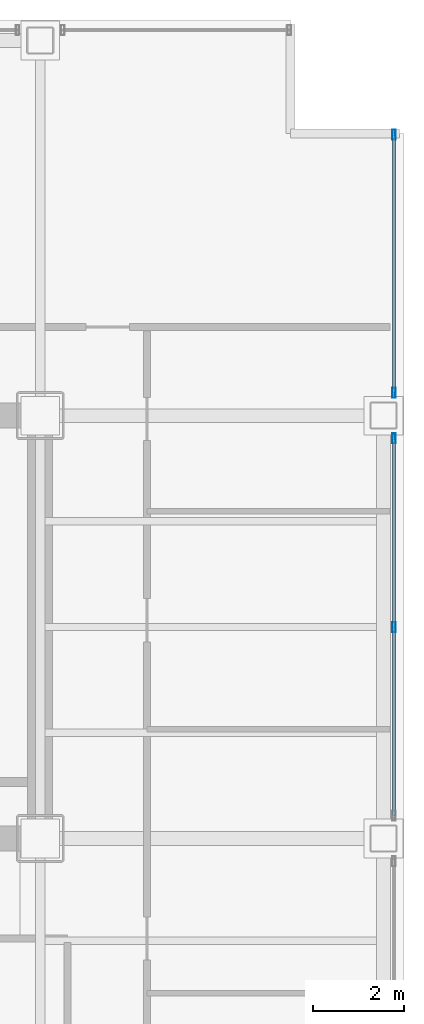
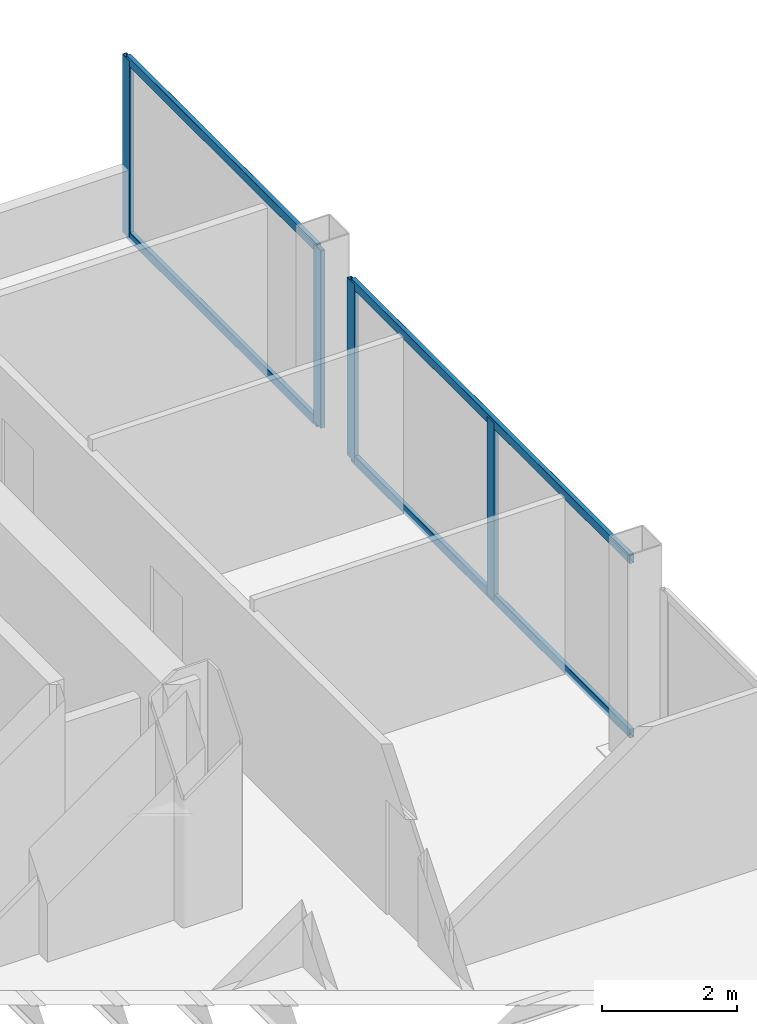
# One storey, part 13 of 21: 8 members, 2 elements without a shape of their own.
"""IFC4 building model written with IfcOpenShell, lengths in metres."""

from ifc_helpers import new_model, si_unit, direction, frame, origin, origin_2d, place, context, subcontext, project, spatial, hollow_rectangle, extrude, material, material_profile, profile_set, type_object, element, aggregate, save


model = new_model("IFC4")

# Units and contexts
model_context = context("Model", 3, precision=1e-05, world=origin(), true_north=direction((0.0, 1.0)))
body_context = subcontext(model_context, "Body", "Model", "MODEL_VIEW")
ifc_project = project(units=[si_unit("LENGTHUNIT", "METRE"), si_unit("AREAUNIT", "SQUARE_METRE"), si_unit("VOLUMEUNIT", "CUBIC_METRE"), si_unit("PLANEANGLEUNIT", "RADIAN"), si_unit("MASSUNIT", "GRAM", prefix="KILO")], contexts=[model_context])

# Site, building, storey
site_placement = place(None, origin())
site = spatial("IfcSite", under=ifc_project, at=site_placement, CompositionType="ELEMENT")
building_placement = place(site_placement, origin())
building = spatial("IfcBuilding", under=site, at=building_placement, Name="Noeulbin Bourse Tower", CompositionType="ELEMENT")
storey_placement = place(building_placement, frame((0.0, 0.0, 46.0)))
storey = spatial("IfcBuildingStorey", under=building, at=storey_placement, Name="L11", CompositionType="ELEMENT", Elevation=46.0)

# Curtain wall, members
ifc_material_1 = material(Name="Dark Solar-Control Double Glazing", Category="glass")
curtain_wall_type = type_object("IfcCurtainWallType", Name="CW-SYS-2", PredefinedType="NOTDEFINED", material=ifc_material_1)
curtain_wall_1_placement = place(storey_placement, origin())
curtain_wall_1 = element("IfcCurtainWall", 1, at=curtain_wall_1_placement, inside=storey, type_object=curtain_wall_type, Name="Unitised Curtain Wall CW-L11-E-S3", PredefinedType="NOTDEFINED")
ifc_material_2 = material(Name="Anodised Aluminium 6063-T6", Category="aluminium")
ifc_material_profile_1 = material_profile(ifc_material_2, hollow_rectangle(XDim=0.074951171875, YDim=0.219970703125, WallThickness=0.0048828125, InnerFilletRadius=0.00244140625, OuterFilletRadius=0.0048828125, at=origin_2d()), Name="ALU-MULL-75x220x5", Category="LoadBearing")
ifc_profile_set_1 = profile_set([ifc_material_profile_1], Name="Anodised Aluminium 6063-T6")
member_type_1 = type_object("IfcMemberType", Name="CW-SYS-2-MUL", PredefinedType="MULLION", material=ifc_profile_set_1)
member_1_placement = place(storey_placement, frame((51.780029296875, 33.64990234375, -0.02001953125), z_axis=(0.0, 0.0, 1.0), x_axis=(1.0, 0.0, 0.0)))
member_1 = element("IfcMember", 2, at=member_1_placement, type_object=member_type_1, Name="Curtain Wall Mullion CW-L11-E-S3-M01", PredefinedType="MULLION", context=body_context, shape_type="SweptSolid", body=[
    extrude(hollow_rectangle(XDim=0.074951171875, YDim=0.219970703125, WallThickness=0.0048828125, InnerFilletRadius=0.00244140625, OuterFilletRadius=0.0048828125, at=origin_2d()), origin(), (0.0, 0.0, 1.0), 3.219970703125),
])
member_2_placement = place(storey_placement, frame((51.780029296875, 37.800048828125, -0.02001953125), z_axis=(0.0, 0.0, 1.0), x_axis=(1.0, 0.0, 0.0)))
member_2 = element("IfcMember", 3, at=member_2_placement, type_object=member_type_1, Name="Curtain Wall Mullion CW-L11-E-S3-M02", PredefinedType="MULLION", context=body_context, shape_type="SweptSolid", body=[
    extrude(hollow_rectangle(XDim=0.074951171875, YDim=0.219970703125, WallThickness=0.0048828125, InnerFilletRadius=0.00244140625, OuterFilletRadius=0.0048828125, at=origin_2d()), origin(), (0.0, 0.0, 1.0), 3.219970703125),
])

curtain_wall_2_placement = place(storey_placement, origin())
curtain_wall_2 = element("IfcCurtainWall", 4, at=curtain_wall_2_placement, inside=storey, type_object=curtain_wall_type, Name="Unitised Curtain Wall CW-L11-E-S4", PredefinedType="NOTDEFINED")
member_3_placement = place(storey_placement, frame((51.780029296875, 38.800048828125, -0.02001953125), z_axis=(0.0, 0.0, 1.0), x_axis=(1.0, 0.0, 0.0)))
member_3 = element("IfcMember", 5, at=member_3_placement, type_object=member_type_1, Name="Curtain Wall Mullion CW-L11-E-S4-M00", PredefinedType="MULLION", context=body_context, shape_type="SweptSolid", body=[
    extrude(hollow_rectangle(XDim=0.074951171875, YDim=0.219970703125, WallThickness=0.0048828125, InnerFilletRadius=0.00244140625, OuterFilletRadius=0.0048828125, at=origin_2d()), origin(), (0.0, 0.0, 1.0), 3.219970703125),
])
member_4_placement = place(storey_placement, frame((51.780029296875, 44.47998046875, -0.02001953125), z_axis=(0.0, 0.0, 1.0), x_axis=(1.0, 0.0, 0.0)))
member_4 = element("IfcMember", 6, at=member_4_placement, type_object=member_type_1, Name="Curtain Wall Mullion CW-L11-E-S4-M01", PredefinedType="MULLION", context=body_context, shape_type="SweptSolid", body=[
    extrude(hollow_rectangle(XDim=0.074951171875, YDim=0.219970703125, WallThickness=0.0048828125, InnerFilletRadius=0.00244140625, OuterFilletRadius=0.0048828125, at=origin_2d()), origin(), (0.0, 0.0, 1.0), 3.219970703125),
])

# Member
ifc_material_profile_2 = material_profile(ifc_material_2, hollow_rectangle(XDim=0.074951171875, YDim=0.159912109375, WallThickness=0.0048828125, InnerFilletRadius=0.00244140625, OuterFilletRadius=0.0048828125, at=origin_2d()), Name="ALU-TRAN-75x160x5", Category="LoadBearing")
ifc_profile_set_2 = profile_set([ifc_material_profile_2], Name="Anodised Aluminium 6063-T6")
member_type_2 = type_object("IfcMemberType", Name="CW-SYS-2-TRN", PredefinedType="USERDEFINED", material=ifc_profile_set_2)
member_5_placement = place(storey_placement, frame((51.780029296875, 29.510009765625, 0.010009765625), z_axis=(0.0, 1.0, 0.0), x_axis=(-1.0, 0.0, 0.0)))
member_5 = element("IfcMember", 7, at=member_5_placement, type_object=member_type_2, Name="Curtain Wall Transom CW-L11-E-S3-T00", ObjectType="TRANSOM", PredefinedType="USERDEFINED", context=body_context, shape_type="SweptSolid", body=[
    extrude(hollow_rectangle(XDim=0.074951171875, YDim=0.159912109375, WallThickness=0.0048828125, InnerFilletRadius=0.00244140625, OuterFilletRadius=0.0048828125, at=origin_2d()), origin(), (0.0, 0.0, 1.0), 8.280029296875),
])

member_6_placement = place(storey_placement, frame((51.780029296875, 29.510009765625, 3.169921875), z_axis=(0.0, 1.0, 0.0), x_axis=(-1.0, 0.0, 0.0)))
member_6 = element("IfcMember", 8, at=member_6_placement, type_object=member_type_2, Name="Curtain Wall Transom CW-L11-E-S3-T01", ObjectType="TRANSOM", PredefinedType="USERDEFINED", context=body_context, shape_type="SweptSolid", body=[
    extrude(hollow_rectangle(XDim=0.074951171875, YDim=0.159912109375, WallThickness=0.0048828125, InnerFilletRadius=0.00244140625, OuterFilletRadius=0.0048828125, at=origin_2d()), origin(), (0.0, 0.0, 1.0), 8.280029296875),
])

aggregate(curtain_wall_1, [member_1, member_2, member_5, member_6])

member_7_placement = place(storey_placement, frame((51.780029296875, 38.81005859375, 0.010009765625), z_axis=(0.0, 1.0, 0.0), x_axis=(-1.0, 0.0, 0.0)))
member_7 = element("IfcMember", 9, at=member_7_placement, type_object=member_type_2, Name="Curtain Wall Transom CW-L11-E-S4-T00", ObjectType="TRANSOM", PredefinedType="USERDEFINED", context=body_context, shape_type="SweptSolid", body=[
    extrude(hollow_rectangle(XDim=0.074951171875, YDim=0.159912109375, WallThickness=0.0048828125, InnerFilletRadius=0.00244140625, OuterFilletRadius=0.0048828125, at=origin_2d()), origin(), (0.0, 0.0, 1.0), 5.659912109375),
])

member_8_placement = place(storey_placement, frame((51.780029296875, 38.81005859375, 3.169921875), z_axis=(0.0, 1.0, 0.0), x_axis=(-1.0, 0.0, 0.0)))
member_8 = element("IfcMember", 10, at=member_8_placement, type_object=member_type_2, Name="Curtain Wall Transom CW-L11-E-S4-T01", ObjectType="TRANSOM", PredefinedType="USERDEFINED", context=body_context, shape_type="SweptSolid", body=[
    extrude(hollow_rectangle(XDim=0.074951171875, YDim=0.159912109375, WallThickness=0.0048828125, InnerFilletRadius=0.00244140625, OuterFilletRadius=0.0048828125, at=origin_2d()), origin(), (0.0, 0.0, 1.0), 5.659912109375),
])

aggregate(curtain_wall_2, [member_3, member_4, member_7, member_8])

save(model, "model.ifc")
